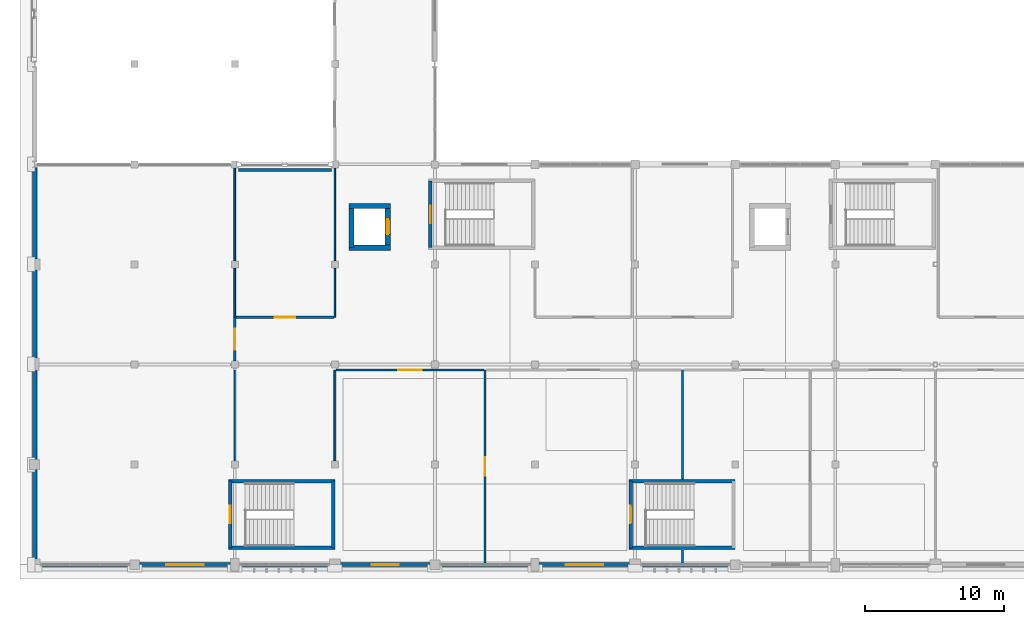
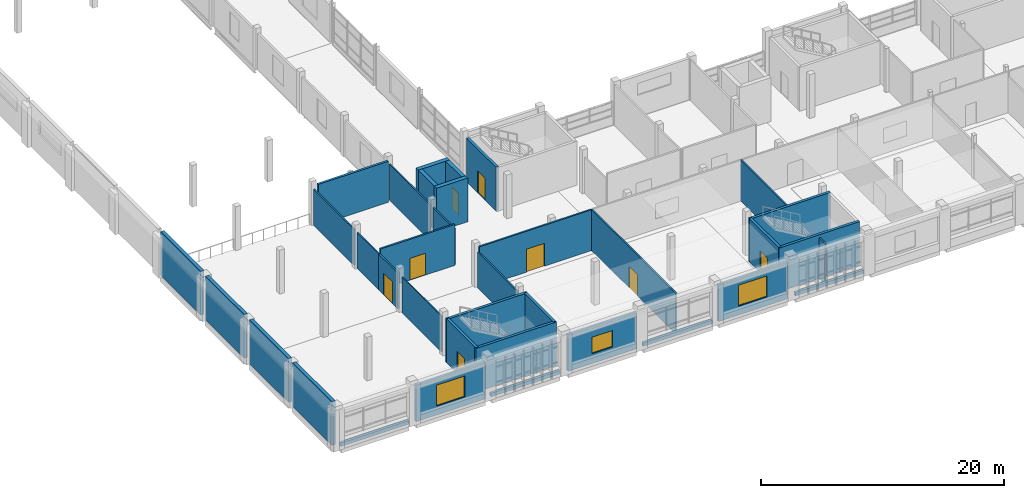
# One storey, part 47 of 71: 36 walls, 8 doors, 3 windows, 11 openings.
"""IFC4 building model written with IfcOpenShell, lengths in metres."""

from ifc_helpers import new_model, si_unit, direction, frame, frame_2d, origin, place, context, subcontext, project, spatial, rectangle, extrude, material, layer, layer_set, type_object, element, fill, save


model = new_model("IFC4")

# Units and contexts
model_context = context("Model", 3, precision=1e-05, world=origin(), true_north=direction((0.0, 1.0)))
body_context = subcontext(model_context, "Body", "Model", "MODEL_VIEW")
ifc_project = project(units=[si_unit("LENGTHUNIT", "METRE"), si_unit("AREAUNIT", "SQUARE_METRE"), si_unit("VOLUMEUNIT", "CUBIC_METRE"), si_unit("PLANEANGLEUNIT", "RADIAN"), si_unit("MASSUNIT", "GRAM", prefix="KILO")], contexts=[model_context])

# Site, building, storey
site_placement = place(None, origin())
site = spatial("IfcSite", under=ifc_project, at=site_placement, CompositionType="ELEMENT")
building_placement = place(site_placement, origin())
building = spatial("IfcBuilding", under=site, at=building_placement, Name="Sardonyx Promenade Sports Hall", CompositionType="ELEMENT")
storey_placement = place(building_placement, frame((0.0, 0.0, 16.0)))
storey = spatial("IfcBuildingStorey", under=building, at=storey_placement, Name="L03", CompositionType="ELEMENT", Elevation=16.0)

# Wall, opening, door
ifc_material_1 = material(Name="Concrete C40/50", Category="concrete")
ifc_layer_1 = layer(ifc_material_1, 0.3798828125)
ifc_layer_set_1 = layer_set([ifc_layer_1], Name="Wall_Core_Shear_380")
wall_type_1 = type_object("IfcWallType", Name="Wall_Core_Shear_380", PredefinedType="SHEAR", material=ifc_layer_set_1)
wall_1_placement = place(storey_placement, frame((25.39990234375, 22.800048828125, 0.0), z_axis=(0.0, 0.0, 1.0), x_axis=(0.0, 1.0, 0.0)))
wall_1 = element("IfcWall", 1, at=wall_1_placement, inside=storey, type_object=wall_type_1, Name="Lift shaft wall LF1 L03 E", PredefinedType="SHEAR", context=body_context, shape_type="SweptSolid", body=[
    extrude(rectangle(XDim=3.0, YDim=0.3798828125, at=frame_2d((1.5, 0.0))), origin(), (0.0, 0.0, 1.0), 4.39990234375),
])
opening_1_placement = place(wall_1_placement, frame((0.949951171875, 0.0, 0.0)))
opening_1 = element("IfcOpeningElement", 2, at=opening_1_placement, cuts=wall_1, Name="Opening LD01", PredefinedType="OPENING", context=body_context, shape_type="SweptSolid", body=[
    extrude(rectangle(XDim=1.10009765625, YDim=2.199951171875, at=frame_2d((0.550048828125, 1.10009765625))), frame((0.0, 0.2, 0.0), z_axis=(0.0, -1.0, 0.0), x_axis=(1.0, 0.0, 0.0)), (0.0, 0.0, 1.0), 0.4),
])
ifc_material_2 = material(Name="Fire-rated stainless steel sliding lift door", Category="steel")
door_type_1 = type_object("IfcDoorType", Name="Door_Lift_Pass_110x220", OperationType="NOTDEFINED", PredefinedType="DOOR", material=ifc_material_2)
door_1_placement = place(opening_1_placement, origin())
door_1 = element("IfcDoor", 3, at=door_1_placement, inside=storey, type_object=door_type_1, Name="Lift landing sliding door LD-LF1-L03", OperationType="SLIDING_TO_LEFT", OverallHeight=2.199951171875, OverallWidth=1.10009765625, PredefinedType="DOOR", context=body_context, shape_type="SweptSolid", body=[
    extrude(rectangle(XDim=1.10009765625, YDim=2.199951171875, at=frame_2d((0.550048828125, 1.10009765625))), frame((0.0, 0.02490234375, 0.0), z_axis=(0.0, -1.0, 0.0), x_axis=(1.0, 0.0, 0.0)), (0.0, 0.0, 1.0), 0.050048828125),
])
fill(opening_1, door_1)

# Walls
wall_2_placement = place(storey_placement, frame((22.610107421875, 25.800048828125, 0.0), z_axis=(0.0, 0.0, 1.0), x_axis=(1.0, 0.0, 0.0)))
element("IfcWall", 4, at=wall_2_placement, inside=storey, type_object=wall_type_1, Name="Lift shaft wall LF1 L03 N", PredefinedType="SHEAR", context=body_context, shape_type="SweptSolid", body=[
    extrude(rectangle(XDim=2.97998046875, YDim=0.3798828125, at=frame_2d((1.489990234375, 0.0))), origin(), (0.0, 0.0, 1.0), 4.39990234375),
])
wall_3_placement = place(storey_placement, frame((22.800048828125, 25.800048828125, 0.0), z_axis=(0.0, 0.0, 1.0), x_axis=(0.0, -1.0, 0.0)))
element("IfcWall", 5, at=wall_3_placement, inside=storey, type_object=wall_type_1, Name="Lift shaft wall LF1 L03 W", PredefinedType="SHEAR", context=body_context, shape_type="SweptSolid", body=[
    extrude(rectangle(XDim=3.0, YDim=0.3798828125, at=frame_2d((1.5, 0.0))), origin(), (0.0, 0.0, 1.0), 4.39990234375),
])
wall_4_placement = place(storey_placement, frame((25.590087890625, 22.800048828125, 0.0), z_axis=(0.0, 0.0, 1.0), x_axis=(-1.0, 0.0, 0.0)))
element("IfcWall", 6, at=wall_4_placement, inside=storey, type_object=wall_type_1, Name="Lift shaft wall LF1 L03 S", PredefinedType="SHEAR", context=body_context, shape_type="SweptSolid", body=[
    extrude(rectangle(XDim=2.97998046875, YDim=0.3798828125, at=frame_2d((1.489990234375, 0.0))), origin(), (0.0, 0.0, 1.0), 4.39990234375),
])
ifc_material_3 = material(Name="Concrete C40/50", Category="concrete")
ifc_layer_2 = layer(ifc_material_3, 0.320068359375)
ifc_layer_set_2 = layer_set([ifc_layer_2], Name="Wall_Ext_Court_320")
wall_type_2 = type_object("IfcWallType", Name="Wall_Ext_Court_320", PredefinedType="SOLIDWALL", material=ifc_layer_set_2)
wall_5_placement = place(storey_placement, frame((0.0, 0.385009765625, 0.0), z_axis=(0.0, 0.0, 1.0), x_axis=(0.0, 1.0, 0.0)))
element("IfcWall", 7, at=wall_5_placement, inside=storey, type_object=wall_type_2, Name="Exterior wall EW01 L03 #158", PredefinedType="SOLIDWALL", context=body_context, shape_type="SweptSolid", body=[
    extrude(rectangle(XDim=6.47998046875, YDim=0.320068359375, at=frame_2d((3.239990234375, 0.0))), origin(), (0.0, 0.0, 1.0), 4.39990234375),
])
wall_6_placement = place(storey_placement, frame((0.0, 7.534912109375, 0.0), z_axis=(0.0, 0.0, 1.0), x_axis=(0.0, 1.0, 0.0)))
element("IfcWall", 8, at=wall_6_placement, inside=storey, type_object=wall_type_2, Name="Exterior wall EW01 L03 #159", PredefinedType="SOLIDWALL", context=body_context, shape_type="SweptSolid", body=[
    extrude(rectangle(XDim=6.43017578125, YDim=0.320068359375, at=frame_2d((3.215087890625, 0.0))), origin(), (0.0, 0.0, 1.0), 4.39990234375),
])
wall_7_placement = place(storey_placement, frame((0.0, 14.8349609375, 0.0), z_axis=(0.0, 0.0, 1.0), x_axis=(0.0, 1.0, 0.0)))
element("IfcWall", 9, at=wall_7_placement, inside=storey, type_object=wall_type_2, Name="Exterior wall EW01 L03 #160", PredefinedType="SOLIDWALL", context=body_context, shape_type="SweptSolid", body=[
    extrude(rectangle(XDim=6.380126953125, YDim=0.320068359375, at=frame_2d((3.18994140625, 0.0))), origin(), (0.0, 0.0, 1.0), 4.39990234375),
])
wall_8_placement = place(storey_placement, frame((0.0, 21.985107421875, 0.0), z_axis=(0.0, 0.0, 1.0), x_axis=(0.0, 1.0, 0.0)))
element("IfcWall", 10, at=wall_8_placement, inside=storey, type_object=wall_type_2, Name="Exterior wall EW01 L03 #161", PredefinedType="SOLIDWALL", context=body_context, shape_type="SweptSolid", body=[
    extrude(rectangle(XDim=6.60986328125, YDim=0.320068359375, at=frame_2d((3.304931640625, 0.0))), origin(), (0.0, 0.0, 1.0), 4.39990234375),
])
ifc_material_4 = material(Name="Masonry CMU 15 MPa", Category="masonry")
ifc_layer_3 = layer(ifc_material_4, 0.239990234375)
ifc_layer_set_3 = layer_set([ifc_layer_3], Name="Wall_Ext_Spandrel_240")
wall_type_3 = type_object("IfcWallType", Name="Wall_Ext_Spandrel_240", PredefinedType="SOLIDWALL", material=ifc_layer_set_3)
wall_9_placement = place(storey_placement, frame((50.06494140625, 0.0, 0.0), z_axis=(0.0, 0.0, 1.0), x_axis=(-1.0, 0.0, 0.0)))
element("IfcWall", 11, at=wall_9_placement, inside=storey, type_object=wall_type_3, Name="Curtain-wall sill spandrel L03 #85", PredefinedType="SOLIDWALL", context=body_context, shape_type="SweptSolid", body=[
    extrude(rectangle(XDim=6.47998046875, YDim=0.239990234375, at=frame_2d((3.239990234375, 0.0))), origin(), (0.0, 0.0, 1.0), 0.35009765625),
])
wall_10_placement = place(storey_placement, frame((35.715087890625, 0.0, 0.0), z_axis=(0.0, 0.0, 1.0), x_axis=(-1.0, 0.0, 0.0)))
element("IfcWall", 12, at=wall_10_placement, inside=storey, type_object=wall_type_3, Name="Curtain-wall sill spandrel L03 #87", PredefinedType="SOLIDWALL", context=body_context, shape_type="SweptSolid", body=[
    extrude(rectangle(XDim=6.580078125, YDim=0.239990234375, at=frame_2d((3.2900390625, 0.0))), origin(), (0.0, 0.0, 1.0), 0.35009765625),
])
wall_11_placement = place(storey_placement, frame((21.215087890625, 0.0, 0.0), z_axis=(0.0, 0.0, 1.0), x_axis=(-1.0, 0.0, 0.0)))
element("IfcWall", 13, at=wall_11_placement, inside=storey, type_object=wall_type_3, Name="Curtain-wall sill spandrel L03 #89", PredefinedType="SOLIDWALL", context=body_context, shape_type="SweptSolid", body=[
    extrude(rectangle(XDim=6.530029296875, YDim=0.239990234375, at=frame_2d((3.26513671875, 0.0))), origin(), (0.0, 0.0, 1.0), 0.35009765625),
])
wall_12_placement = place(storey_placement, frame((6.864990234375, 0.0, 0.0), z_axis=(0.0, 0.0, 1.0), x_axis=(-1.0, 0.0, 0.0)))
element("IfcWall", 14, at=wall_12_placement, inside=storey, type_object=wall_type_3, Name="Curtain-wall sill spandrel L03 #91", PredefinedType="SOLIDWALL", context=body_context, shape_type="SweptSolid", body=[
    extrude(rectangle(XDim=6.47998046875, YDim=0.239990234375, at=frame_2d((3.239990234375, 0.0))), origin(), (0.0, 0.0, 1.0), 0.35009765625),
])

# Wall, opening, window
ifc_material_5 = material(Name="Concrete C40/50", Category="concrete")
ifc_layer_4 = layer(ifc_material_5, 0.280029296875)
ifc_layer_set_4 = layer_set([ifc_layer_4], Name="Wall_Ext_Wing_280")
wall_type_4 = type_object("IfcWallType", Name="Wall_Ext_Wing_280", PredefinedType="SOLIDWALL", material=ifc_layer_set_4)
wall_13_placement = place(storey_placement, frame((42.81494140625, 0.0, 0.0), z_axis=(0.0, 0.0, 1.0), x_axis=(-1.0, 0.0, 0.0)))
wall_13 = element("IfcWall", 15, at=wall_13_placement, inside=storey, type_object=wall_type_4, Name="Exterior wall EW02 L03 #86", PredefinedType="SOLIDWALL", context=body_context, shape_type="SweptSolid", body=[
    extrude(rectangle(XDim=6.530029296875, YDim=0.280029296875, at=frame_2d((3.26513671875, 0.0))), origin(), (0.0, 0.0, 1.0), 3.675048828125),
])
opening_2_placement = place(wall_13_placement, frame((1.9150390625, 0.0, 0.89990234375)))
opening_2 = element("IfcOpeningElement", 16, at=opening_2_placement, cuts=wall_13, Name="Opening W01", PredefinedType="OPENING", context=body_context, shape_type="SweptSolid", body=[
    extrude(rectangle(XDim=2.699951171875, YDim=2.10009765625, at=frame_2d((1.35009765625, 1.050048828125))), frame((0.0, 0.15, 0.0), z_axis=(0.0, -1.0, 0.0), x_axis=(1.0, 0.0, 0.0)), (0.0, 0.0, 1.0), 0.3),
])
ifc_material_6 = material(Name="Double-glazed solar low-E aluminium window", Category="aluminium")
window_type_1 = type_object("IfcWindowType", Name="Win_Studio_270x210", PartitioningType="DOUBLE_PANEL_VERTICAL", PredefinedType="WINDOW", material=ifc_material_6)
window_1_placement = place(opening_2_placement, origin())
window_1 = element("IfcWindow", 17, at=window_1_placement, inside=storey, type_object=window_type_1, Name="Facade window W01 L03 #35", OverallHeight=2.10009765625, OverallWidth=2.699951171875, PartitioningType="SINGLE_PANEL", PredefinedType="WINDOW", context=body_context, shape_type="SweptSolid", body=[
    extrude(rectangle(XDim=2.699951171875, YDim=2.10009765625, at=frame_2d((1.35009765625, 1.050048828125))), frame((0.0, 0.030029296875, 0.0), z_axis=(0.0, -1.0, 0.0), x_axis=(1.0, 0.0, 0.0)), (0.0, 0.0, 1.0), 0.06005859375),
])
fill(opening_2, window_1)

wall_14_placement = place(storey_placement, frame((28.465087890625, 0.0, 0.0), z_axis=(0.0, 0.0, 1.0), x_axis=(-1.0, 0.0, 0.0)))
wall_14 = element("IfcWall", 18, at=wall_14_placement, inside=storey, type_object=wall_type_4, Name="Exterior wall EW02 L03 #88", PredefinedType="SOLIDWALL", context=body_context, shape_type="SweptSolid", body=[
    extrude(rectangle(XDim=6.47998046875, YDim=0.280029296875, at=frame_2d((3.239990234375, 0.0))), origin(), (0.0, 0.0, 1.0), 3.675048828125),
])
opening_3_placement = place(wall_14_placement, frame((2.264892578125, 0.0, 1.0)))
opening_3 = element("IfcOpeningElement", 19, at=opening_3_placement, cuts=wall_14, Name="Opening W11", PredefinedType="OPENING", context=body_context, shape_type="SweptSolid", body=[
    extrude(rectangle(XDim=1.949951171875, YDim=1.64990234375, at=frame_2d((0.97509765625, 0.824951171875))), frame((0.0, 0.15, 0.0), z_axis=(0.0, -1.0, 0.0), x_axis=(1.0, 0.0, 0.0)), (0.0, 0.0, 1.0), 0.3),
])
ifc_material_7 = material(Name="Double-glazed solar low-E aluminium window", Category="aluminium")
window_type_2 = type_object("IfcWindowType", Name="Win_Office_195x165", PartitioningType="DOUBLE_PANEL_VERTICAL", PredefinedType="WINDOW", material=ifc_material_7)
window_2_placement = place(opening_3_placement, origin())
window_2 = element("IfcWindow", 20, at=window_2_placement, inside=storey, type_object=window_type_2, Name="Facade window W11 L03 #36", OverallHeight=1.64990234375, OverallWidth=1.949951171875, PartitioningType="SINGLE_PANEL", PredefinedType="WINDOW", context=body_context, shape_type="SweptSolid", body=[
    extrude(rectangle(XDim=1.949951171875, YDim=1.64990234375, at=frame_2d((0.97509765625, 0.824951171875))), frame((0.0, 0.030029296875, 0.0), z_axis=(0.0, -1.0, 0.0), x_axis=(1.0, 0.0, 0.0)), (0.0, 0.0, 1.0), 0.06005859375),
])
fill(opening_3, window_2)

wall_15_placement = place(storey_placement, frame((14.114990234375, 0.0, 0.0), z_axis=(0.0, 0.0, 1.0), x_axis=(-1.0, 0.0, 0.0)))
wall_15 = element("IfcWall", 21, at=wall_15_placement, inside=storey, type_object=wall_type_4, Name="Exterior wall EW02 L03 #90", PredefinedType="SOLIDWALL", context=body_context, shape_type="SweptSolid", body=[
    extrude(rectangle(XDim=6.580078125, YDim=0.280029296875, at=frame_2d((3.2900390625, 0.0))), origin(), (0.0, 0.0, 1.0), 3.675048828125),
])
opening_4_placement = place(wall_15_placement, frame((1.93994140625, 0.0, 0.89990234375)))
opening_4 = element("IfcOpeningElement", 22, at=opening_4_placement, cuts=wall_15, Name="Opening W01", PredefinedType="OPENING", context=body_context, shape_type="SweptSolid", body=[
    extrude(rectangle(XDim=2.699951171875, YDim=2.10009765625, at=frame_2d((1.35009765625, 1.050048828125))), frame((0.0, 0.15, 0.0), z_axis=(0.0, -1.0, 0.0), x_axis=(1.0, 0.0, 0.0)), (0.0, 0.0, 1.0), 0.3),
])
window_3_placement = place(opening_4_placement, origin())
window_3 = element("IfcWindow", 23, at=window_3_placement, inside=storey, type_object=window_type_1, Name="Facade window W01 L03 #37", OverallHeight=2.10009765625, OverallWidth=2.699951171875, PartitioningType="SINGLE_PANEL", PredefinedType="WINDOW", context=body_context, shape_type="SweptSolid", body=[
    extrude(rectangle(XDim=2.699951171875, YDim=2.10009765625, at=frame_2d((1.35009765625, 1.050048828125))), frame((0.0, 0.030029296875, 0.0), z_axis=(0.0, -1.0, 0.0), x_axis=(1.0, 0.0, 0.0)), (0.0, 0.0, 1.0), 0.06005859375),
])
fill(opening_4, window_3)

# Wall, opening, door
ifc_material_8 = material(Name="Twin-stud acoustic gypsum partition", Category="gypsum")
ifc_layer_5 = layer(ifc_material_8, 0.169921875)
ifc_layer_set_5 = layer_set([ifc_layer_5], Name="Wall_Part_Acoust_170")
wall_type_5 = type_object("IfcWallType", Name="Wall_Part_Acoust_170", PredefinedType="PARTITIONING", material=ifc_layer_set_5)
wall_16_placement = place(storey_placement, frame((14.485107421875, 17.800048828125, 0.0), z_axis=(0.0, 0.0, 1.0), x_axis=(1.0, 0.0, 0.0)))
wall_16 = element("IfcWall", 24, at=wall_16_placement, inside=storey, type_object=wall_type_5, Name="Interior partition PW06 L03 #338", PredefinedType="PARTITIONING", context=body_context, shape_type="SweptSolid", body=[
    extrude(rectangle(XDim=7.044921875, YDim=0.169921875, at=frame_2d((3.5224609375, 0.0))), origin(), (0.0, 0.0, 1.0), 4.110107421875),
])
opening_5_placement = place(wall_16_placement, frame((2.7724609375, 0.0, 0.0)))
opening_5 = element("IfcOpeningElement", 25, at=opening_5_placement, cuts=wall_16, Name="Opening ID10", PredefinedType="OPENING", context=body_context, shape_type="SweptSolid", body=[
    extrude(rectangle(XDim=1.5, YDim=2.199951171875, at=frame_2d((0.75, 1.10009765625))), frame((0.0, 0.095, 0.0), z_axis=(0.0, -1.0, 0.0), x_axis=(1.0, 0.0, 0.0)), (0.0, 0.0, 1.0), 0.19),
])
ifc_material_9 = material(Name="Double studio entrance fire door FD30S", Category="wood")
door_type_2 = type_object("IfcDoorType", Name="Door_Corr_FD30_150x220", OperationType="NOTDEFINED", PredefinedType="DOOR", material=ifc_material_9)
door_2_placement = place(opening_5_placement, origin())
door_2 = element("IfcDoor", 26, at=door_2_placement, inside=storey, type_object=door_type_2, Name="Interior door D03-106", OperationType="DOUBLE_DOOR_SINGLE_SWING", OverallHeight=2.199951171875, OverallWidth=1.5, PredefinedType="DOOR", context=body_context, shape_type="SweptSolid", body=[
    extrude(rectangle(XDim=1.5, YDim=2.199951171875, at=frame_2d((0.75, 1.10009765625))), frame((0.0, 0.02490234375, 0.0), z_axis=(0.0, -1.0, 0.0), x_axis=(1.0, 0.0, 0.0)), (0.0, 0.0, 1.0), 0.050048828125),
])
fill(opening_5, door_2)

# Walls
ifc_material_10 = material(Name="Masonry CMU 15 MPa", Category="masonry")
ifc_layer_6 = layer(ifc_material_10, 0.2099609375)
ifc_layer_set_6 = layer_set([ifc_layer_6], Name="Wall_Part_Block_210")
wall_type_6 = type_object("IfcWallType", Name="Wall_Part_Block_210", PredefinedType="PARTITIONING", material=ifc_layer_set_6)
wall_17_placement = place(storey_placement, frame((14.659912109375, 28.39990234375, 0.0), z_axis=(0.0, 0.0, 1.0), x_axis=(1.0, 0.0, 0.0)))
element("IfcWall", 27, at=wall_17_placement, inside=storey, type_object=wall_type_6, Name="Interior partition PW07 L03 #327", PredefinedType="PARTITIONING", context=body_context, shape_type="SweptSolid", body=[
    extrude(rectangle(XDim=6.68017578125, YDim=0.2099609375, at=frame_2d((3.340087890625, 0.0))), origin(), (0.0, 0.0, 1.0), 4.1201171875),
])
ifc_material_11 = material(Name="Hygienic clinical stud partition", Category="gypsum")
ifc_layer_7 = layer(ifc_material_11, 0.1201171875)
ifc_layer_set_7 = layer_set([ifc_layer_7], Name="Wall_Part_Clinic_120")
wall_type_7 = type_object("IfcWallType", Name="Wall_Part_Clinic_120", PredefinedType="PARTITIONING", material=ifc_layer_set_7)
wall_18_placement = place(storey_placement, frame((21.60009765625, 17.800048828125, 0.0), z_axis=(0.0, 0.0, 1.0), x_axis=(0.0, 1.0, 0.0)))
element("IfcWall", 28, at=wall_18_placement, inside=storey, type_object=wall_type_7, Name="Interior partition PW02 L03 #313", PredefinedType="PARTITIONING", context=body_context, shape_type="SweptSolid", body=[
    extrude(rectangle(XDim=3.550048828125, YDim=0.1201171875, at=frame_2d((1.77490234375, 0.0))), origin(), (0.0, 0.0, 1.0), 3.610107421875),
])
wall_19_placement = place(storey_placement, frame((21.60009765625, 21.85009765625, 0.0), z_axis=(0.0, 0.0, 1.0), x_axis=(0.0, 1.0, 0.0)))
element("IfcWall", 29, at=wall_19_placement, inside=storey, type_object=wall_type_7, Name="Interior partition PW02 L03 #314", PredefinedType="PARTITIONING", context=body_context, shape_type="SweptSolid", body=[
    extrude(rectangle(XDim=6.699951171875, YDim=0.1201171875, at=frame_2d((3.35009765625, 0.0))), origin(), (0.0, 0.0, 1.0), 3.6201171875),
])

# Wall, opening, door
ifc_material_12 = material(Name="Fire-rated stud gypsum partition", Category="gypsum")
ifc_layer_8 = layer(ifc_material_12, 0.14990234375)
ifc_layer_set_8 = layer_set([ifc_layer_8], Name="Wall_Part_Corridor_150")
wall_type_8 = type_object("IfcWallType", Name="Wall_Part_Corridor_150", PredefinedType="PARTITIONING", material=ifc_layer_set_8)
wall_20_placement = place(storey_placement, frame((14.39990234375, 14.64990234375, 0.0), z_axis=(0.0, 0.0, 1.0), x_axis=(0.0, 1.0, 0.0)))
wall_20 = element("IfcWall", 30, at=wall_20_placement, inside=storey, type_object=wall_type_8, Name="Interior partition PW04 L03 #325", PredefinedType="PARTITIONING", context=body_context, shape_type="SweptSolid", body=[
    extrude(rectangle(XDim=3.14013671875, YDim=0.14990234375, at=frame_2d((1.570068359375, 0.0))), origin(), (0.0, 0.0, 1.0), 3.610107421875),
])
opening_6_placement = place(wall_20_placement, frame((0.820068359375, 0.0, 0.0)))
opening_6 = element("IfcOpeningElement", 31, at=opening_6_placement, cuts=wall_20, Name="Opening ID10", PredefinedType="OPENING", context=body_context, shape_type="SweptSolid", body=[
    extrude(rectangle(XDim=1.5, YDim=2.199951171875, at=frame_2d((0.75, 1.10009765625))), frame((0.0, 0.085, 0.0), z_axis=(0.0, -1.0, 0.0), x_axis=(1.0, 0.0, 0.0)), (0.0, 0.0, 1.0), 0.17),
])
door_3_placement = place(opening_6_placement, origin())
door_3 = element("IfcDoor", 32, at=door_3_placement, inside=storey, type_object=door_type_2, Name="Interior door D03-097", OperationType="DOUBLE_DOOR_SINGLE_SWING", OverallHeight=2.199951171875, OverallWidth=1.5, PredefinedType="DOOR", context=body_context, shape_type="SweptSolid", body=[
    extrude(rectangle(XDim=1.5, YDim=2.199951171875, at=frame_2d((0.75, 1.10009765625))), frame((0.0, 0.02490234375, 0.0), z_axis=(0.0, -1.0, 0.0), x_axis=(1.0, 0.0, 0.0)), (0.0, 0.0, 1.0), 0.050048828125),
])
fill(opening_6, door_3)

wall_21_placement = place(storey_placement, frame((21.679931640625, 14.0, 0.0), z_axis=(0.0, 0.0, 1.0), x_axis=(1.0, 0.0, 0.0)))
wall_21 = element("IfcWall", 33, at=wall_21_placement, inside=storey, type_object=wall_type_8, Name="Interior partition PW04 L03 #328", PredefinedType="PARTITIONING", context=body_context, shape_type="SweptSolid", body=[
    extrude(rectangle(XDim=10.64013671875, YDim=0.14990234375, at=frame_2d((5.320068359375, 0.0))), origin(), (0.0, 0.0, 1.0), 4.110107421875),
])
opening_7_placement = place(wall_21_placement, frame((4.469970703125, 0.0, 0.0)))
opening_7 = element("IfcOpeningElement", 34, at=opening_7_placement, cuts=wall_21, Name="Opening ID03", PredefinedType="OPENING", context=body_context, shape_type="SweptSolid", body=[
    extrude(rectangle(XDim=1.699951171875, YDim=2.300048828125, at=frame_2d((0.85009765625, 1.14990234375))), frame((0.0, 0.085, 0.0), z_axis=(0.0, -1.0, 0.0), x_axis=(1.0, 0.0, 0.0)), (0.0, 0.0, 1.0), 0.17),
])
ifc_material_13 = material(Name="Double changing suite fire door FD30S", Category="wood")
door_type_3 = type_object("IfcDoorType", Name="Door_Corr_FD30_170x230", OperationType="NOTDEFINED", PredefinedType="DOOR", material=ifc_material_13)
door_4_placement = place(opening_7_placement, origin())
door_4 = element("IfcDoor", 35, at=door_4_placement, inside=storey, type_object=door_type_3, Name="Interior door D03-099", OperationType="DOUBLE_DOOR_SINGLE_SWING", OverallHeight=2.300048828125, OverallWidth=1.699951171875, PredefinedType="DOOR", context=body_context, shape_type="SweptSolid", body=[
    extrude(rectangle(XDim=1.699951171875, YDim=2.300048828125, at=frame_2d((0.85009765625, 1.14990234375))), frame((0.0, 0.02490234375, 0.0), z_axis=(0.0, -1.0, 0.0), x_axis=(1.0, 0.0, 0.0)), (0.0, 0.0, 1.0), 0.050048828125),
])
fill(opening_7, door_4)

# Walls
ifc_material_14 = material(Name="Lightweight steel-stud partition", Category="steel")
ifc_layer_9 = layer(ifc_material_14, 0.10009765625)
ifc_layer_set_9 = layer_set([ifc_layer_9], Name="Wall_Part_Light_100")
wall_type_9 = type_object("IfcWallType", Name="Wall_Part_Light_100", PredefinedType="PARTITIONING", material=ifc_layer_set_9)
wall_22_placement = place(storey_placement, frame((14.39990234375, 7.449951171875, 0.0), z_axis=(0.0, 0.0, 1.0), x_axis=(0.0, 1.0, 0.0)))
element("IfcWall", 36, at=wall_22_placement, inside=storey, type_object=wall_type_9, Name="Interior partition PW01 L03 #296", PredefinedType="PARTITIONING", context=body_context, shape_type="SweptSolid", body=[
    extrude(rectangle(XDim=6.550048828125, YDim=0.10009765625, at=frame_2d((3.27490234375, 0.0))), origin(), (0.0, 0.0, 1.0), 3.610107421875),
])
ifc_material_15 = material(Name="Acoustic sports stud partition", Category="gypsum")
ifc_layer_10 = layer(ifc_material_15, 0.1298828125)
ifc_layer_set_10 = layer_set([ifc_layer_10], Name="Wall_Part_Studio_130")
wall_type_10 = type_object("IfcWallType", Name="Wall_Part_Studio_130", PredefinedType="PARTITIONING", material=ifc_layer_set_10)
wall_23_placement = place(storey_placement, frame((46.60009765625, 0.1298828125, 0.0), z_axis=(0.0, 0.0, 1.0), x_axis=(0.0, 1.0, 0.0)))
element("IfcWall", 37, at=wall_23_placement, inside=storey, type_object=wall_type_10, Name="Interior partition PW05 L03 #298", PredefinedType="PARTITIONING", context=body_context, shape_type="SweptSolid", body=[
    extrude(rectangle(XDim=0.920166015625, YDim=0.1298828125, at=frame_2d((0.4599609375, 0.0))), origin(), (0.0, 0.0, 1.0), 4.1201171875),
])
wall_24_placement = place(storey_placement, frame((46.60009765625, 6.14990234375, 0.0), z_axis=(0.0, 0.0, 1.0), x_axis=(0.0, 1.0, 0.0)))
element("IfcWall", 38, at=wall_24_placement, inside=storey, type_object=wall_type_10, Name="Interior partition PW05 L03 #299", PredefinedType="PARTITIONING", context=body_context, shape_type="SweptSolid", body=[
    extrude(rectangle(XDim=7.85009765625, YDim=0.1298828125, at=frame_2d((3.925048828125, 0.0))), origin(), (0.0, 0.0, 1.0), 4.110107421875),
])
wall_25_placement = place(storey_placement, frame((14.39990234375, 17.800048828125, 0.0), z_axis=(0.0, 0.0, 1.0), x_axis=(0.0, 1.0, 0.0)))
element("IfcWall", 39, at=wall_25_placement, inside=storey, type_object=wall_type_10, Name="Interior partition PW05 L03 #311", PredefinedType="PARTITIONING", context=body_context, shape_type="SweptSolid", body=[
    extrude(rectangle(XDim=3.550048828125, YDim=0.1298828125, at=frame_2d((1.77490234375, 0.0))), origin(), (0.0, 0.0, 1.0), 3.610107421875),
])
wall_26_placement = place(storey_placement, frame((14.39990234375, 21.85009765625, 0.0), z_axis=(0.0, 0.0, 1.0), x_axis=(0.0, 1.0, 0.0)))
element("IfcWall", 40, at=wall_26_placement, inside=storey, type_object=wall_type_10, Name="Interior partition PW05 L03 #312", PredefinedType="PARTITIONING", context=body_context, shape_type="SweptSolid", body=[
    extrude(rectangle(XDim=6.699951171875, YDim=0.1298828125, at=frame_2d((3.35009765625, 0.0))), origin(), (0.0, 0.0, 1.0), 3.6201171875),
])
ifc_material_16 = material(Name="Moisture-resistant masonry partition", Category="masonry")
ifc_layer_11 = layer(ifc_material_16, 0.139892578125)
ifc_layer_set_11 = layer_set([ifc_layer_11], Name="Wall_Part_Wet_140")
wall_type_11 = type_object("IfcWallType", Name="Wall_Part_Wet_140", PredefinedType="PARTITIONING", material=ifc_layer_set_11)
wall_27_placement = place(storey_placement, frame((21.60009765625, 7.449951171875, 0.0), z_axis=(0.0, 0.0, 1.0), x_axis=(0.0, 1.0, 0.0)))
element("IfcWall", 41, at=wall_27_placement, inside=storey, type_object=wall_type_11, Name="Interior partition PW08 L03 #297", PredefinedType="PARTITIONING", context=body_context, shape_type="SweptSolid", body=[
    extrude(rectangle(XDim=6.550048828125, YDim=0.139892578125, at=frame_2d((3.27490234375, 0.0))), origin(), (0.0, 0.0, 1.0), 3.610107421875),
])

# Wall, opening, door
wall_28_placement = place(storey_placement, frame((32.39990234375, 0.1298828125, 0.0), z_axis=(0.0, 0.0, 1.0), x_axis=(0.0, 1.0, 0.0)))
wall_28 = element("IfcWall", 42, at=wall_28_placement, inside=storey, type_object=wall_type_11, Name="Interior partition PW08 L03 #309", PredefinedType="PARTITIONING", context=body_context, shape_type="SweptSolid", body=[
    extrude(rectangle(XDim=13.8701171875, YDim=0.139892578125, at=frame_2d((6.93505859375, 0.0))), origin(), (0.0, 0.0, 1.0), 4.1201171875),
])
opening_8_placement = place(wall_28_placement, frame((6.260009765625, 0.0, 0.0)))
opening_8 = element("IfcOpeningElement", 43, at=opening_8_placement, cuts=wall_28, Name="Opening ID12", PredefinedType="OPENING", context=body_context, shape_type="SweptSolid", body=[
    extrude(rectangle(XDim=1.35009765625, YDim=2.14990234375, at=frame_2d((0.675048828125, 1.074951171875))), frame((0.0, 0.08, 0.0), z_axis=(0.0, -1.0, 0.0), x_axis=(1.0, 0.0, 0.0)), (0.0, 0.0, 1.0), 0.16),
])
ifc_material_17 = material(Name="Leaf-and-a-half equipment door", Category="wood")
door_type_4 = type_object("IfcDoorType", Name="Door_Suite_135x215", OperationType="NOTDEFINED", PredefinedType="DOOR", material=ifc_material_17)
door_5_placement = place(opening_8_placement, origin())
door_5 = element("IfcDoor", 44, at=door_5_placement, inside=storey, type_object=door_type_4, Name="Interior door D03-095", OperationType="SINGLE_SWING_LEFT", OverallHeight=2.14990234375, OverallWidth=1.35009765625, PredefinedType="DOOR", context=body_context, shape_type="SweptSolid", body=[
    extrude(rectangle(XDim=1.35009765625, YDim=2.14990234375, at=frame_2d((0.675048828125, 1.074951171875))), frame((0.0, 0.02490234375, 0.0), z_axis=(0.0, -1.0, 0.0), x_axis=(1.0, 0.0, 0.0)), (0.0, 0.0, 1.0), 0.050048828125),
])
fill(opening_8, door_5)

ifc_material_18 = material(Name="Concrete C40/50", Category="concrete")
ifc_layer_12 = layer(ifc_material_18, 0.25)
ifc_layer_set_12 = layer_set([ifc_layer_12], Name="Wall_Stair_Shear_250")
wall_type_12 = type_object("IfcWallType", Name="Wall_Stair_Shear_250", PredefinedType="SHEAR", material=ifc_layer_set_12)
wall_29_placement = place(storey_placement, frame((28.47509765625, 22.800048828125, 0.0), z_axis=(0.0, 0.0, 1.0), x_axis=(0.0, 1.0, 0.0)))
wall_29 = element("IfcWall", 45, at=wall_29_placement, inside=storey, type_object=wall_type_12, Name="Stair shaft wall ST1 L03 entry", PredefinedType="SHEAR", context=body_context, shape_type="SweptSolid", body=[
    extrude(rectangle(XDim=4.800048828125, YDim=0.25, at=frame_2d((2.39990234375, 0.0))), origin(), (0.0, 0.0, 1.0), 4.39990234375),
])
opening_9_placement = place(wall_29_placement, frame((1.77490234375, 0.0, 0.0)))
opening_9 = element("IfcOpeningElement", 46, at=opening_9_placement, cuts=wall_29, Name="Opening ID13", PredefinedType="OPENING", context=body_context, shape_type="SweptSolid", body=[
    extrude(rectangle(XDim=1.25, YDim=2.199951171875, at=frame_2d((0.625, 1.10009765625))), frame((0.0, 0.135, 0.0), z_axis=(0.0, -1.0, 0.0), x_axis=(1.0, 0.0, 0.0)), (0.0, 0.0, 1.0), 0.27),
])
ifc_material_19 = material(Name="Solid-core hardwood fire door FD60S", Category="wood")
door_type_5 = type_object("IfcDoorType", Name="Door_Stair_FD60_125x220", OperationType="NOTDEFINED", PredefinedType="DOOR", material=ifc_material_19)
door_6_placement = place(opening_9_placement, origin())
door_6 = element("IfcDoor", 47, at=door_6_placement, inside=storey, type_object=door_type_5, Name="Protected stair door SD05 (ST1 L03)", OperationType="SINGLE_SWING_LEFT", OverallHeight=2.199951171875, OverallWidth=1.25, PredefinedType="DOOR", context=body_context, shape_type="SweptSolid", body=[
    extrude(rectangle(XDim=1.25, YDim=2.199951171875, at=frame_2d((0.625, 1.10009765625))), frame((0.0, 0.02490234375, 0.0), z_axis=(0.0, -1.0, 0.0), x_axis=(1.0, 0.0, 0.0)), (0.0, 0.0, 1.0), 0.050048828125),
])
fill(opening_9, door_6)

wall_30_placement = place(storey_placement, frame((14.074951171875, 1.199951171875, 0.0), z_axis=(0.0, 0.0, 1.0), x_axis=(0.0, 1.0, 0.0)))
wall_30 = element("IfcWall", 48, at=wall_30_placement, inside=storey, type_object=wall_type_12, Name="Stair shaft wall ST5 L03 entry", PredefinedType="SHEAR", context=body_context, shape_type="SweptSolid", body=[
    extrude(rectangle(XDim=4.800048828125, YDim=0.25, at=frame_2d((2.39990234375, 0.0))), origin(), (0.0, 0.0, 1.0), 4.39990234375),
])
opening_10_placement = place(wall_30_placement, frame((1.77490234375, 0.0, 0.0)))
opening_10 = element("IfcOpeningElement", 49, at=opening_10_placement, cuts=wall_30, Name="Opening ID13", PredefinedType="OPENING", context=body_context, shape_type="SweptSolid", body=[
    extrude(rectangle(XDim=1.25, YDim=2.199951171875, at=frame_2d((0.625, 1.10009765625))), frame((0.0, 0.135, 0.0), z_axis=(0.0, -1.0, 0.0), x_axis=(1.0, 0.0, 0.0)), (0.0, 0.0, 1.0), 0.27),
])
door_7_placement = place(opening_10_placement, origin())
door_7 = element("IfcDoor", 50, at=door_7_placement, inside=storey, type_object=door_type_5, Name="Protected stair door SD25 (ST5 L03)", OperationType="SINGLE_SWING_LEFT", OverallHeight=2.199951171875, OverallWidth=1.25, PredefinedType="DOOR", context=body_context, shape_type="SweptSolid", body=[
    extrude(rectangle(XDim=1.25, YDim=2.199951171875, at=frame_2d((0.625, 1.10009765625))), frame((0.0, 0.02490234375, 0.0), z_axis=(0.0, -1.0, 0.0), x_axis=(1.0, 0.0, 0.0)), (0.0, 0.0, 1.0), 0.050048828125),
])
fill(opening_10, door_7)

# Walls
wall_31_placement = place(storey_placement, frame((13.949951171875, 6.0, 0.0), z_axis=(0.0, 0.0, 1.0), x_axis=(1.0, 0.0, 0.0)))
element("IfcWall", 51, at=wall_31_placement, inside=storey, type_object=wall_type_12, Name="Stair shaft wall ST5 L03 N", PredefinedType="SHEAR", context=body_context, shape_type="SweptSolid", body=[
    extrude(rectangle(XDim=7.650146484375, YDim=0.25, at=frame_2d((3.8251953125, 0.0))), origin(), (0.0, 0.0, 1.0), 4.39990234375),
])
wall_32_placement = place(storey_placement, frame((21.47509765625, 6.0, 0.0), z_axis=(0.0, 0.0, 1.0), x_axis=(0.0, -1.0, 0.0)))
element("IfcWall", 52, at=wall_32_placement, inside=storey, type_object=wall_type_12, Name="Stair shaft wall ST5 L03 E", PredefinedType="SHEAR", context=body_context, shape_type="SweptSolid", body=[
    extrude(rectangle(XDim=4.800048828125, YDim=0.25, at=frame_2d((2.39990234375, 0.0))), origin(), (0.0, 0.0, 1.0), 4.39990234375),
])
wall_33_placement = place(storey_placement, frame((21.60009765625, 1.199951171875, 0.0), z_axis=(0.0, 0.0, 1.0), x_axis=(-1.0, 0.0, 0.0)))
element("IfcWall", 53, at=wall_33_placement, inside=storey, type_object=wall_type_12, Name="Stair shaft wall ST5 L03 S", PredefinedType="SHEAR", context=body_context, shape_type="SweptSolid", body=[
    extrude(rectangle(XDim=7.650146484375, YDim=0.25, at=frame_2d((3.8251953125, 0.0))), origin(), (0.0, 0.0, 1.0), 4.39990234375),
])

# Wall, opening, door
wall_34_placement = place(storey_placement, frame((42.875, 1.199951171875, 0.0), z_axis=(0.0, 0.0, 1.0), x_axis=(0.0, 1.0, 0.0)))
wall_34 = element("IfcWall", 54, at=wall_34_placement, inside=storey, type_object=wall_type_12, Name="Stair shaft wall ST6 L03 entry", PredefinedType="SHEAR", context=body_context, shape_type="SweptSolid", body=[
    extrude(rectangle(XDim=4.800048828125, YDim=0.25, at=frame_2d((2.39990234375, 0.0))), origin(), (0.0, 0.0, 1.0), 4.39990234375),
])
opening_11_placement = place(wall_34_placement, frame((1.77490234375, 0.0, 0.0)))
opening_11 = element("IfcOpeningElement", 55, at=opening_11_placement, cuts=wall_34, Name="Opening ID13", PredefinedType="OPENING", context=body_context, shape_type="SweptSolid", body=[
    extrude(rectangle(XDim=1.25, YDim=2.199951171875, at=frame_2d((0.625, 1.10009765625))), frame((0.0, 0.135, 0.0), z_axis=(0.0, -1.0, 0.0), x_axis=(1.0, 0.0, 0.0)), (0.0, 0.0, 1.0), 0.27),
])
door_8_placement = place(opening_11_placement, origin())
door_8 = element("IfcDoor", 56, at=door_8_placement, inside=storey, type_object=door_type_5, Name="Protected stair door SD30 (ST6 L03)", OperationType="SINGLE_SWING_RIGHT", OverallHeight=2.199951171875, OverallWidth=1.25, PredefinedType="DOOR", context=body_context, shape_type="SweptSolid", body=[
    extrude(rectangle(XDim=1.25, YDim=2.199951171875, at=frame_2d((0.625, 1.10009765625))), frame((0.0, 0.02490234375, 0.0), z_axis=(0.0, -1.0, 0.0), x_axis=(1.0, 0.0, 0.0)), (0.0, 0.0, 1.0), 0.050048828125),
])
fill(opening_11, door_8)

# Walls
for number, where, z_axis, x_axis, name in (
    (57, (42.75, 6.0, 0.0), (0.0, 0.0, 1.0), (1.0, 0.0, 0.0), "Stair shaft wall ST6 L03 N"),
    (58, (50.39990234375, 1.199951171875, 0.0), (0.0, 0.0, 1.0), (-1.0, 0.0, 0.0), "Stair shaft wall ST6 L03 S"),
):
    element("IfcWall", number, at=place(storey_placement, frame(where, z_axis=z_axis, x_axis=x_axis)), inside=storey, type_object=wall_type_12, Name=name, PredefinedType="SHEAR", context=body_context, shape_type="SweptSolid", body=[
        extrude(rectangle(XDim=7.64990234375, YDim=0.25, at=frame_2d((3.824951171875, 0.0))), origin(), (0.0, 0.0, 1.0), 4.39990234375),
    ])

save(model, "model.ifc")
